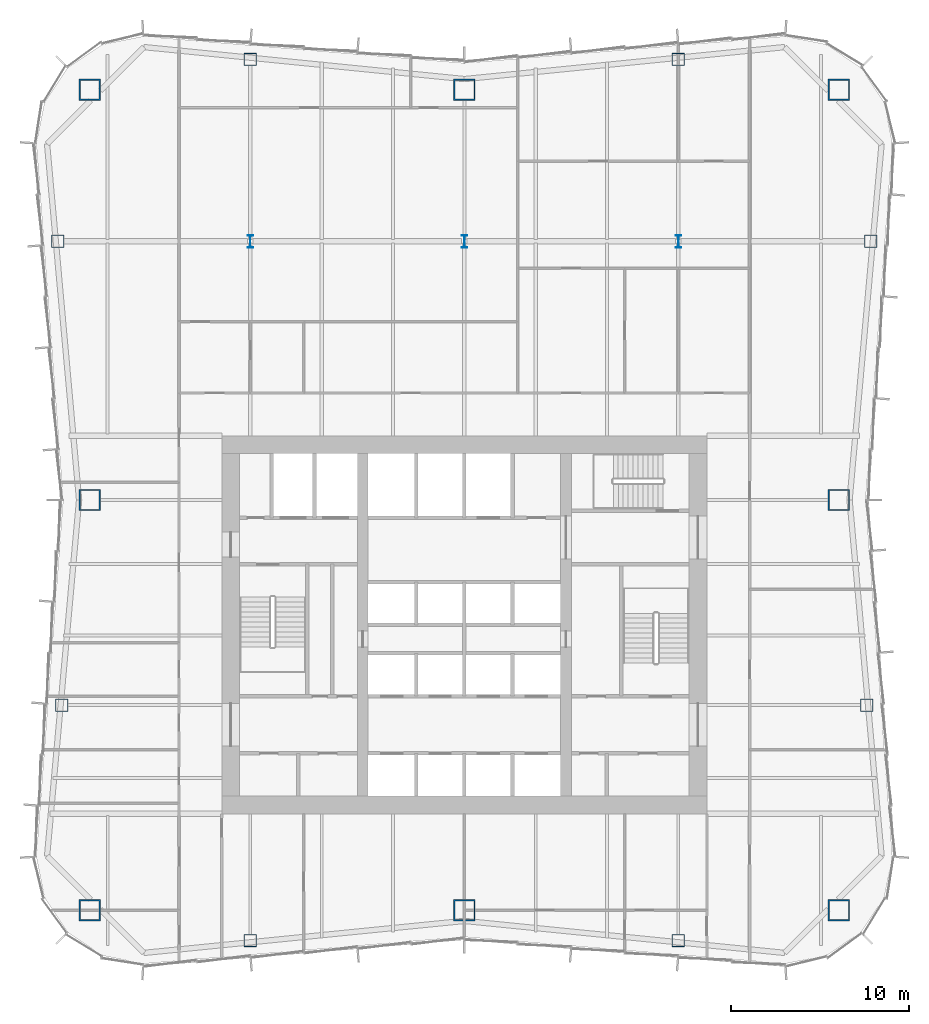
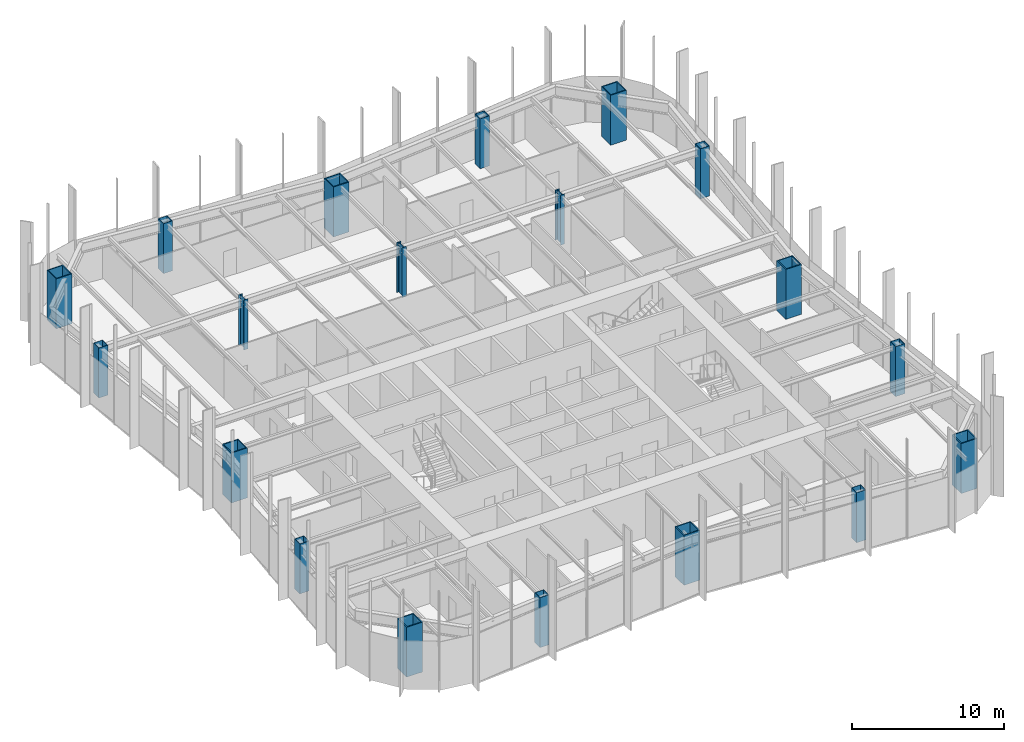
# One storey, part 1 of 14: 19 columns.
"""IFC4 building model written with IfcOpenShell, lengths in metres."""

from ifc_helpers import new_model, si_unit, direction, frame, origin, origin_2d, place, context, subcontext, project, spatial, hollow_rectangle, i_section, extrude, material, material_profile, profile_set, type_object, element, save


model = new_model("IFC4")

# Units and contexts
model_context = context("Model", 3, precision=1e-05, world=origin(), true_north=direction((0.0, 1.0)))
body_context = subcontext(model_context, "Body", "Model", "MODEL_VIEW")
ifc_project = project(units=[si_unit("LENGTHUNIT", "METRE"), si_unit("AREAUNIT", "SQUARE_METRE"), si_unit("VOLUMEUNIT", "CUBIC_METRE"), si_unit("PLANEANGLEUNIT", "RADIAN"), si_unit("MASSUNIT", "GRAM", prefix="KILO")], contexts=[model_context])

# Site, building, storey
site_placement = place(None, origin())
site = spatial("IfcSite", under=ifc_project, at=site_placement, CompositionType="ELEMENT")
building_placement = place(site_placement, origin())
building = spatial("IfcBuilding", under=site, at=building_placement, Name="Verdant Reach Tower", CompositionType="ELEMENT")
storey_placement = place(building_placement, frame((0.0, 0.0, 162.0)))
storey = spatial("IfcBuildingStorey", under=building, at=storey_placement, Name="L37", CompositionType="ELEMENT", Elevation=162.0)

# Columns
ifc_material = material(Name="Steel S460", Category="steel")
ifc_material_profile_1 = material_profile(ifc_material, i_section(OverallWidth=0.30810546875, OverallDepth=0.716064453125, WebThickness=0.02099609375, FlangeThickness=0.0400390625, FilletRadius=0.027099609375, at=origin_2d()), Name="HEM 700")
ifc_profile_set_1 = profile_set([ifc_material_profile_1], Name="Steel S460")
column_type_1 = type_object("IfcColumnType", Name="ST-COL-HEM700", PredefinedType="COLUMN", material=ifc_profile_set_1)
for number, where, z_axis, x_axis, name in (
    (1, (-12.0, 49.5, 0.0), (0.0, 0.0, 1.0), (1.0, 0.0, 0.0), "Interior column 1, L37"),
    (2, (0.0, 49.5, 0.0), (0.0, 0.0, 1.0), (1.0, 0.0, 0.0), "Interior column 2, L37"),
    (3, (12.0, 49.5, 0.0), (0.0, 0.0, 1.0), (1.0, 0.0, 0.0), "Interior column 3, L37"),
):
    element("IfcColumn", number, at=place(storey_placement, frame(where, z_axis=z_axis, x_axis=x_axis)), inside=storey, type_object=column_type_1, Name=name, PredefinedType="COLUMN", context=body_context, shape_type="SweptSolid", body=[
        extrude(i_section(OverallWidth=0.30810546875, OverallDepth=0.716064453125, WebThickness=0.02099609375, FlangeThickness=0.0400390625, FilletRadius=0.027099609375, at=origin_2d()), origin(), (0.0, 0.0, 1.0), 4.0),
    ])
ifc_material_profile_2 = material_profile(ifc_material, hollow_rectangle(XDim=1.199951171875, YDim=1.199951171875, WallThickness=0.070068359375, at=origin_2d()), Name="WB 1200x1200x70")
ifc_profile_set_2 = profile_set([ifc_material_profile_2], Name="Steel S460")
column_type_2 = type_object("IfcColumnType", Name="ST-COL-WB1200x1200x70", PredefinedType="COLUMN", material=ifc_profile_set_2)
for number, where, z_axis, x_axis, name in (
    (4, (-21.0, 58.0, 0.0), (0.0, 0.0, 1.0), (1.0, 0.0, 0.0), "Mega column north-west, L37"),
    (5, (0.0, 58.0, 0.0), (0.0, 0.0, 1.0), (1.0, 0.0, 0.0), "Mega column north, L37"),
    (6, (21.0, 58.0, 0.0), (0.0, 0.0, 1.0), (1.0, 0.0, 0.0), "Mega column north-east, L37"),
    (7, (21.0, 35.0, 0.0), (0.0, 0.0, 1.0), (1.0, 0.0, 0.0), "Mega column east, L37"),
    (8, (21.0, 12.0, 0.0), (0.0, 0.0, 1.0), (1.0, 0.0, 0.0), "Mega column south-east, L37"),
    (9, (0.0, 12.0, 0.0), (0.0, 0.0, 1.0), (1.0, 0.0, 0.0), "Mega column south, L37"),
    (10, (-21.0, 12.0, 0.0), (0.0, 0.0, 1.0), (1.0, 0.0, 0.0), "Mega column south-west, L37"),
    (11, (-21.0, 35.0, 0.0), (0.0, 0.0, 1.0), (1.0, 0.0, 0.0), "Mega column west, L37"),
):
    element("IfcColumn", number, at=place(storey_placement, frame(where, z_axis=z_axis, x_axis=x_axis)), inside=storey, type_object=column_type_2, Name=name, PredefinedType="COLUMN", context=body_context, shape_type="SweptSolid", body=[
        extrude(hollow_rectangle(XDim=1.199951171875, YDim=1.199951171875, WallThickness=0.070068359375, at=origin_2d()), origin(), (0.0, 0.0, 1.0), 4.0),
    ])
ifc_material_profile_3 = material_profile(ifc_material, hollow_rectangle(XDim=0.699951171875, YDim=0.699951171875, WallThickness=0.030029296875, at=origin_2d()), Name="WB 700x700x30")
ifc_profile_set_3 = profile_set([ifc_material_profile_3], Name="Steel S460")
column_type_3 = type_object("IfcColumnType", Name="ST-COL-WB700x700x30", PredefinedType="COLUMN", material=ifc_profile_set_3)
for number, where, z_axis, x_axis, name in (
    (12, (-12.0, 59.699951171875, 0.0), (0.0, 0.0, 1.0), (1.0, 0.0, 0.0), "Perimeter column north 1, L37"),
    (13, (12.0, 59.699951171875, 0.0), (0.0, 0.0, 1.0), (1.0, 0.0, 0.0), "Perimeter column north 2, L37"),
    (14, (-12.0, 10.300048828125, 0.0), (0.0, 0.0, 1.0), (1.0, 0.0, 0.0), "Perimeter column south 1, L37"),
    (15, (12.0, 10.300048828125, 0.0), (0.0, 0.0, 1.0), (1.0, 0.0, 0.0), "Perimeter column south 2, L37"),
    (16, (22.5625, 23.5, 0.0), (0.0, 0.0, 1.0), (1.0, 0.0, 0.0), "Perimeter column east 1, L37"),
    (17, (22.78759765625, 49.5, 0.0), (0.0, 0.0, 1.0), (1.0, 0.0, 0.0), "Perimeter column east 2, L37"),
    (18, (-22.5625, 23.5, 0.0), (0.0, 0.0, 1.0), (1.0, 0.0, 0.0), "Perimeter column west 1, L37"),
    (19, (-22.78759765625, 49.5, 0.0), (0.0, 0.0, 1.0), (1.0, 0.0, 0.0), "Perimeter column west 2, L37"),
):
    element("IfcColumn", number, at=place(storey_placement, frame(where, z_axis=z_axis, x_axis=x_axis)), inside=storey, type_object=column_type_3, Name=name, PredefinedType="COLUMN", context=body_context, shape_type="SweptSolid", body=[
        extrude(hollow_rectangle(XDim=0.699951171875, YDim=0.699951171875, WallThickness=0.030029296875, at=origin_2d()), origin(), (0.0, 0.0, 1.0), 4.0),
    ])

save(model, "model.ifc")
